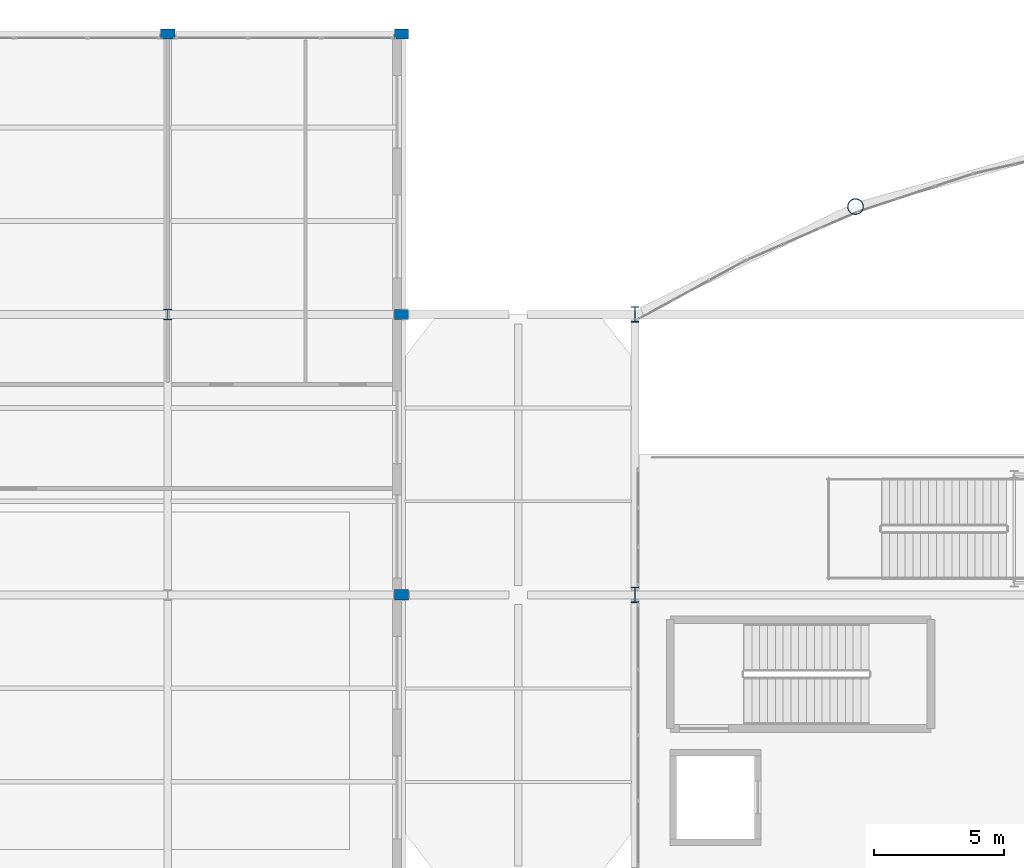
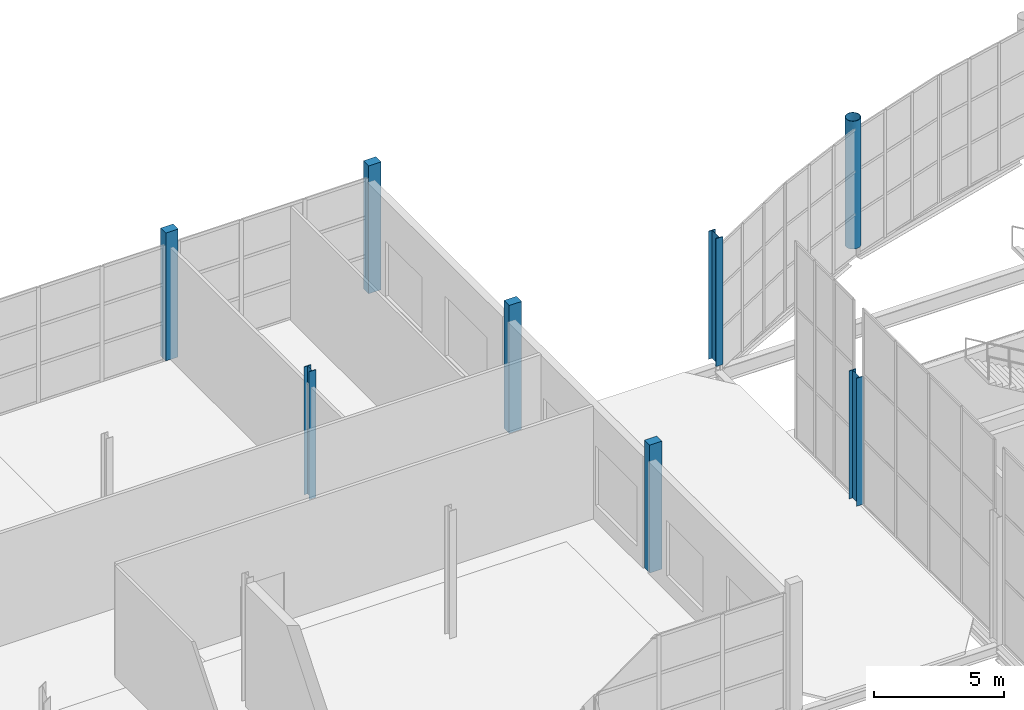
# One storey, part 10 of 191: 8 columns.
"""IFC4 building model written with IfcOpenShell, lengths in metres."""

from ifc_helpers import new_model, si_unit, direction, frame, origin, origin_2d, place, context, subcontext, project, spatial, rectangle, hollow_circle, i_section, extrude, material, material_profile, profile_set, type_object, element, save


model = new_model("IFC4")

# Units and contexts
model_context = context("Model", 3, precision=1e-05, world=origin(), true_north=direction((0.0, 1.0)))
body_context = subcontext(model_context, "Body", "Model", "MODEL_VIEW")
ifc_project = project(units=[si_unit("LENGTHUNIT", "METRE"), si_unit("AREAUNIT", "SQUARE_METRE"), si_unit("VOLUMEUNIT", "CUBIC_METRE"), si_unit("PLANEANGLEUNIT", "RADIAN"), si_unit("MASSUNIT", "GRAM", prefix="KILO")], contexts=[model_context])

# Site, building, storey
site_placement = place(None, origin())
site = spatial("IfcSite", under=ifc_project, at=site_placement, CompositionType="ELEMENT")
building_placement = place(site_placement, origin())
building = spatial("IfcBuilding", under=site, at=building_placement, Name="Tamarisk Ironworks Central Station", CompositionType="ELEMENT")
storey_placement = place(building_placement, frame((0.0, 0.0, 6.60009765625)))
storey = spatial("IfcBuildingStorey", under=building, at=storey_placement, Name="L01", CompositionType="ELEMENT", Elevation=6.60009765625)

# Columns
ifc_material_1 = material(Name="Clay facing brickwork and mortar", Category="masonry")
ifc_material_profile_1 = material_profile(ifc_material_1, rectangle(XDim=0.550048828125, YDim=0.39990234375, at=origin_2d()), Name="PIL 550x400")
ifc_profile_set_1 = profile_set([ifc_material_profile_1], Name="Clay facing brickwork and mortar")
column_type_1 = type_object("IfcColumnType", Name="COL-PIL02", PredefinedType="PILASTER", material=ifc_profile_set_1)
for number, where, z_axis, x_axis, name in (
    (1, (36.0, 122.39990234375, 0.0), (0.0, 0.0, 1.0), (1.0, 0.0, 0.0), "L01 column V4-05N"),
    (2, (45.0, 100.800048828125, 0.0), (0.0, 0.0, 1.0), (1.0, 0.0, 0.0), "L01 column V4-06J"),
    (3, (45.0, 111.60009765625, 0.0), (0.0, 0.0, 1.0), (1.0, 0.0, 0.0), "L01 column V4-06L"),
    (4, (45.0, 122.39990234375, 0.0), (0.0, 0.0, 1.0), (1.0, 0.0, 0.0), "L01 column V4-06N"),
):
    element("IfcColumn", number, at=place(storey_placement, frame(where, z_axis=z_axis, x_axis=x_axis)), inside=storey, type_object=column_type_1, Name=name, PredefinedType="PILASTER", context=body_context, shape_type="SweptSolid", body=[
        extrude(rectangle(XDim=0.550048828125, YDim=0.39990234375, at=origin_2d()), origin(), (0.0, 0.0, 1.0), 6.0),
    ])
ifc_material_2 = material(Name="Structural steel S355J2", Category="steel")
ifc_material_profile_2 = material_profile(ifc_material_2, i_section(OverallWidth=0.300048828125, OverallDepth=0.60009765625, WebThickness=0.015380859375, FlangeThickness=0.029052734375, at=origin_2d()), Name="HEB 600")
ifc_profile_set_2 = profile_set([ifc_material_profile_2], Name="Structural steel S355J2")
column_type_2 = type_object("IfcColumnType", Name="COL-S05", PredefinedType="COLUMN", material=ifc_profile_set_2)
for number, where, z_axis, x_axis, name in (
    (5, (54.0, 100.800048828125, 0.0), (0.0, 0.0, 1.0), (1.0, 0.0, 0.0), "L01 column V2-07J"),
    (6, (54.0, 111.60009765625, 0.0), (0.0, 0.0, 1.0), (1.0, 0.0, 0.0), "L01 column V2-07L"),
):
    element("IfcColumn", number, at=place(storey_placement, frame(where, z_axis=z_axis, x_axis=x_axis)), inside=storey, type_object=column_type_2, Name=name, PredefinedType="COLUMN", context=body_context, shape_type="SweptSolid", body=[
        extrude(i_section(OverallWidth=0.300048828125, OverallDepth=0.60009765625, WebThickness=0.015380859375, FlangeThickness=0.029052734375, at=origin_2d()), origin(), (0.0, 0.0, 1.0), 6.0),
    ])
ifc_material_profile_3 = material_profile(ifc_material_2, i_section(OverallWidth=0.300048828125, OverallDepth=0.39990234375, WebThickness=0.013427734375, FlangeThickness=0.02392578125, at=origin_2d()), Name="HEB 400")
ifc_profile_set_3 = profile_set([ifc_material_profile_3], Name="Structural steel S355J2")
column_type_3 = type_object("IfcColumnType", Name="COL-S09", PredefinedType="COLUMN", material=ifc_profile_set_3)
column_1_placement = place(storey_placement, frame((36.0, 111.60009765625, 0.0), z_axis=(0.0, 0.0, 1.0), x_axis=(1.0, 0.0, 0.0)))
element("IfcColumn", 7, at=column_1_placement, inside=storey, type_object=column_type_3, Name="L01 column V4-05L", PredefinedType="COLUMN", context=body_context, shape_type="SweptSolid", body=[
    extrude(i_section(OverallWidth=0.300048828125, OverallDepth=0.39990234375, WebThickness=0.013427734375, FlangeThickness=0.02392578125, at=origin_2d()), origin(), (0.0, 0.0, 1.0), 6.0),
])
ifc_material_3 = material(Name="Painted structural steel S355J2", Category="steel")
ifc_material_profile_4 = material_profile(ifc_material_3, hollow_circle(Radius=0.304931640625, WallThickness=0.02001953125, at=origin_2d()), Name="CHS 610x20")
ifc_profile_set_4 = profile_set([ifc_material_profile_4], Name="Painted structural steel S355J2")
column_type_4 = type_object("IfcColumnType", Name="COL-S15", PredefinedType="COLUMN", material=ifc_profile_set_4)
column_2_placement = place(storey_placement, frame((62.48876953125, 115.752685546875, 0.0), z_axis=(0.0, 0.0, 1.0), x_axis=(1.0, 0.0, 0.0)))
element("IfcColumn", 8, at=column_2_placement, inside=storey, type_object=column_type_4, Name="L01 column V2-NN02", PredefinedType="COLUMN", context=body_context, shape_type="SweptSolid", body=[
    extrude(hollow_circle(Radius=0.304931640625, WallThickness=0.02001953125, at=origin_2d()), origin(), (0.0, 0.0, 1.0), 6.0),
])

save(model, "model.ifc")
